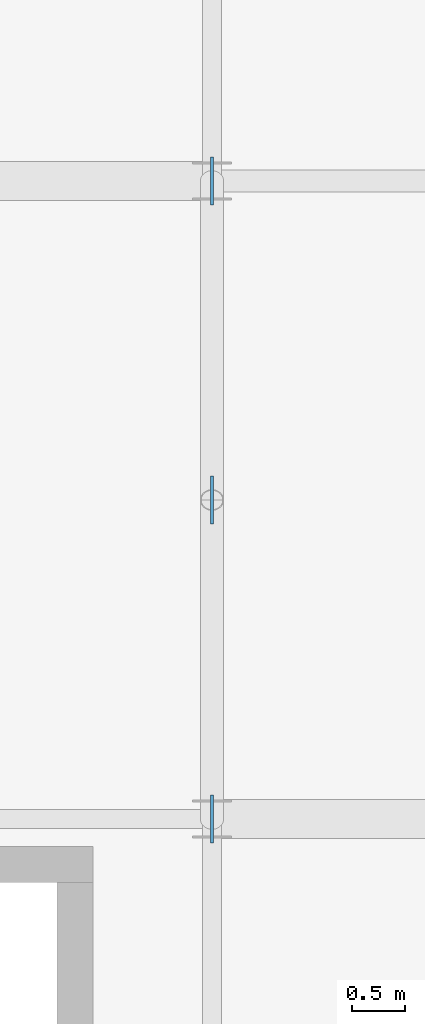
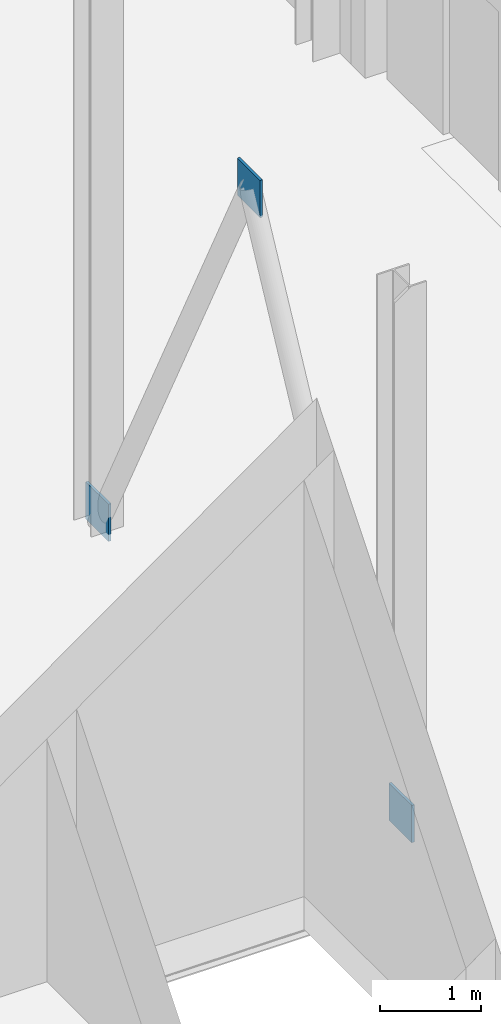
# One storey, part 116 of 140: 3 plates.
"""IFC4 building model written with IfcOpenShell, lengths in metres."""

from ifc_helpers import new_model, si_unit, direction, frame, origin, origin_2d, place, context, subcontext, project, spatial, rectangle, extrude, material, layer, layer_set, type_object, element, save


model = new_model("IFC4")

# Units and contexts
model_context = context("Model", 3, precision=1e-05, world=origin(), true_north=direction((0.0, 1.0)))
body_context = subcontext(model_context, "Body", "Model", "MODEL_VIEW")
ifc_project = project(units=[si_unit("LENGTHUNIT", "METRE"), si_unit("AREAUNIT", "SQUARE_METRE"), si_unit("VOLUMEUNIT", "CUBIC_METRE"), si_unit("PLANEANGLEUNIT", "RADIAN"), si_unit("MASSUNIT", "GRAM", prefix="KILO")], contexts=[model_context])

# Site, building, storey
site_placement = place(None, origin())
site = spatial("IfcSite", under=ifc_project, at=site_placement, CompositionType="ELEMENT")
building_placement = place(site_placement, origin())
building = spatial("IfcBuilding", under=site, at=building_placement, Name="Verrall Gate Interchange", CompositionType="ELEMENT")
storey_placement = place(building_placement, origin())
storey = spatial("IfcBuildingStorey", under=building, at=storey_placement, Name="L01", CompositionType="ELEMENT", Elevation=0.0)

# Plates
ifc_material = material(Name="Structural Steel CSA G40.21 350WT Cat 4", Category="steel")
ifc_layer = layer(ifc_material, 0.030029296875)
ifc_layer_set = layer_set([ifc_layer], Name="Structural Steel CSA G40.21 350WT Cat 4")
plate_type = type_object("IfcPlateType", Name="GP-02 Gusset Plate 30", PredefinedType="SHEET", material=ifc_layer_set)
for number, where, z_axis, x_axis, name in (
    (1, (144.0, 22.0, -0.0849609375), (0.0, 0.0, 1.0), (1.0, 0.0, 0.0), "Chevron Brace Gusset Node CBF6-L01-BA"),
    (2, (144.0, 28.0, -0.0849609375), (0.0, 0.0, 1.0), (1.0, 0.0, 0.0), "Chevron Brace Gusset Node CBF6-L01-BB"),
    (3, (144.0, 25.0, 5.64501953125), (0.0, 0.0, 1.0), (1.0, 0.0, 0.0), "Chevron Brace Gusset Node CBF6-L01-AP"),
):
    element("IfcPlate", number, at=place(storey_placement, frame(where, z_axis=z_axis, x_axis=x_axis)), inside=storey, type_object=plate_type, Name=name, PredefinedType="SHEET", context=body_context, shape_type="SweptSolid", body=[
        extrude(rectangle(XDim=0.030029296875, YDim=0.449951171875, at=origin_2d()), origin(), (0.0, 0.0, 1.0), 0.449951171875),
    ])

save(model, "model.ifc")
